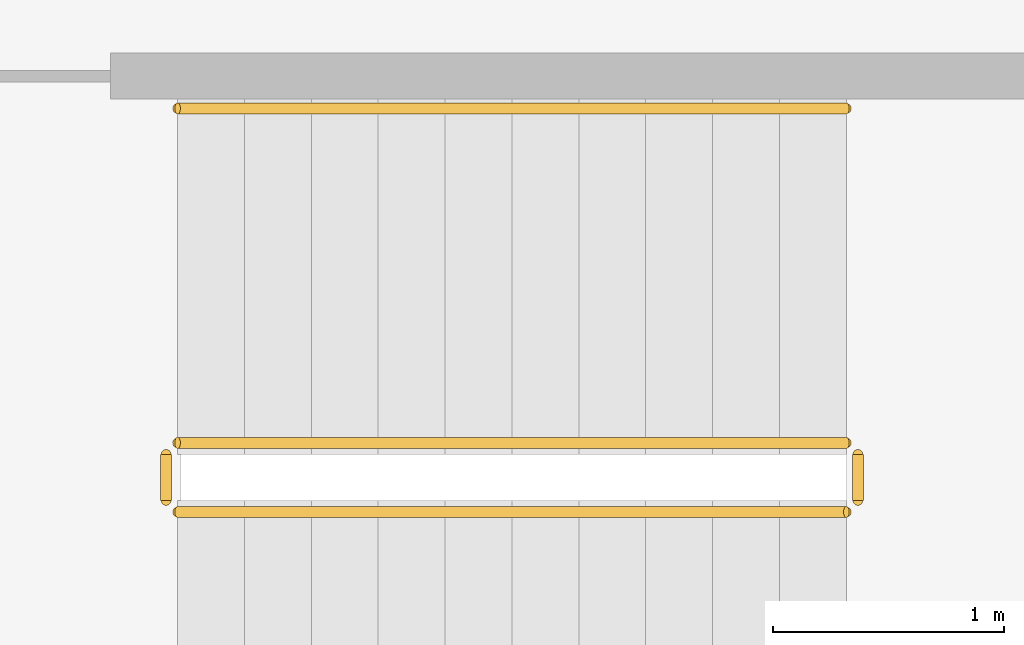
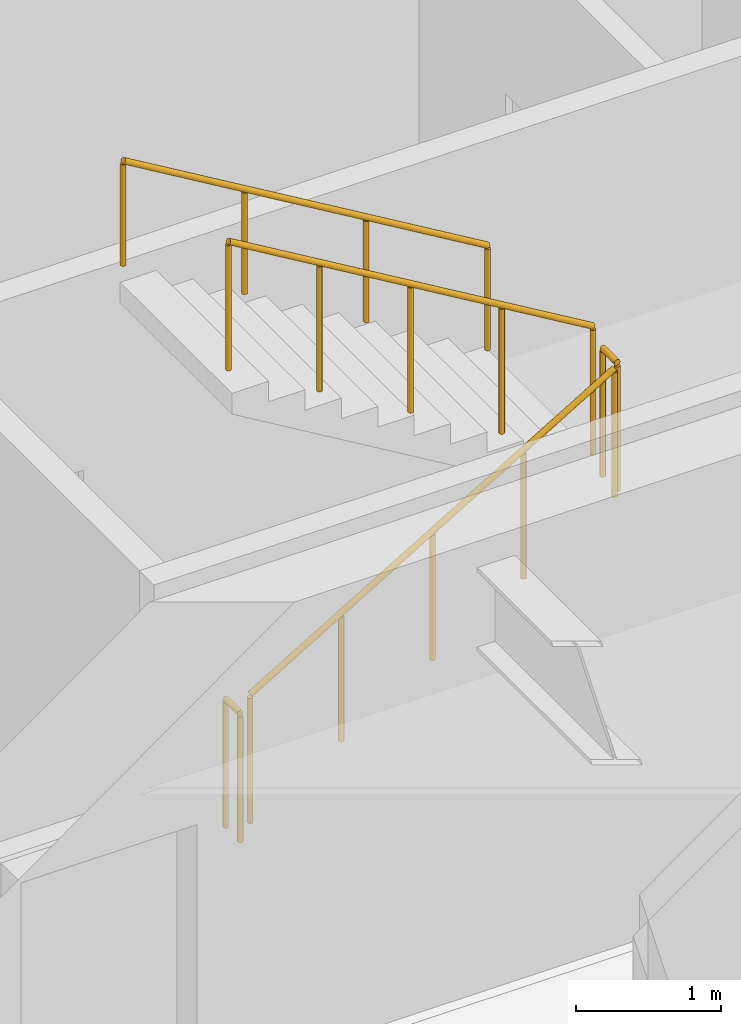
# One storey, part 22 of 23: 5 railings.
"""IFC4 building model written with IfcOpenShell, lengths in metres."""

from ifc_helpers import new_model, si_unit, direction, frame, origin, origin_2d, place, context, subcontext, project, spatial, circle, extrude, material, type_object, element, save


model = new_model("IFC4")

# Units and contexts
model_context = context("Model", 3, precision=1e-05, world=origin(), true_north=direction((0.0, 1.0)))
body_context = subcontext(model_context, "Body", "Model", "MODEL_VIEW")
ifc_project = project(units=[si_unit("LENGTHUNIT", "METRE"), si_unit("AREAUNIT", "SQUARE_METRE"), si_unit("VOLUMEUNIT", "CUBIC_METRE"), si_unit("PLANEANGLEUNIT", "RADIAN"), si_unit("MASSUNIT", "GRAM", prefix="KILO")], contexts=[model_context])

# Site, building, storey
site_placement = place(None, origin())
site = spatial("IfcSite", under=ifc_project, at=site_placement, CompositionType="ELEMENT")
building_placement = place(site_placement, origin())
building = spatial("IfcBuilding", under=site, at=building_placement, Name="Putna Gate Headquarters", CompositionType="ELEMENT")
storey_placement = place(building_placement, frame((0.0, 0.0, 202.39990234375)))
storey = spatial("IfcBuildingStorey", under=building, at=storey_placement, Name="L50", CompositionType="ELEMENT", Elevation=202.39990234375)

# Railings
ifc_material_1 = material(Name="Powder-coated steel stair guardrail", Category="steel")
railing_type_1 = type_object("IfcRailingType", Name="RAIL-STAIR-GUARD-1100", PredefinedType="GUARDRAIL", material=ifc_material_1)
railing_1_placement = place(storey_placement, frame((57.89990234375, 21.10009765625, 0.1728515625)))
element("IfcRailing", 1, at=railing_1_placement, inside=storey, type_object=railing_type_1, Name="L50 ST2 stair guard 1", PredefinedType="GUARDRAIL", context=body_context, shape_type="SweptSolid", body=[
    extrude(circle(Radius=0.02392578125, at=origin_2d()), frame((0.0, 0.0, 1.076171875), z_axis=(0.859160404282, 0.0, 0.51170636083), x_axis=(0.0, 1.0, 0.0)), (0.0, 0.0, 1.0), 3.37548828125),
    extrude(circle(Radius=0.02099609375, at=origin_2d()), origin(), (0.0, 0.0, 1.0), 1.052001953125),
    extrude(circle(Radius=0.02099609375, at=origin_2d()), frame((0.72509765625, 0.0, 0.431884765625)), (0.0, 0.0, 1.0), 1.052001953125),
    extrude(circle(Radius=0.02099609375, at=origin_2d()), frame((1.4501953125, 0.0, 0.86376953125)), (0.0, 0.0, 1.0), 1.052001953125),
    extrude(circle(Radius=0.02099609375, at=origin_2d()), frame((2.175048828125, 0.0, 1.29541015625)), (0.0, 0.0, 1.0), 1.052001953125),
    extrude(circle(Radius=0.02099609375, at=origin_2d()), frame((2.900146484375, 0.0, 1.727294921875)), (0.0, 0.0, 1.0), 1.052001953125),
])
railing_2_placement = place(storey_placement, frame((60.85009765625, 21.14990234375, 1.900146484375)))
element("IfcRailing", 2, at=railing_2_placement, inside=storey, type_object=railing_type_1, Name="L50 ST2 stair guard 2", PredefinedType="GUARDRAIL", context=body_context, shape_type="SweptSolid", body=[
    extrude(circle(Radius=0.02392578125, at=origin_2d()), frame((0.0, 0.0, 1.076171875), z_axis=(0.0, 1.0, 0.0), x_axis=(-1.0, 0.0, 0.0)), (0.0, 0.0, 1.0), 0.2001953125),
    extrude(circle(Radius=0.02099609375, at=origin_2d()), origin(), (0.0, 0.0, 1.0), 1.052001953125),
    extrude(circle(Radius=0.02099609375, at=origin_2d()), frame((0.0, 0.2001953125, 0.0)), (0.0, 0.0, 1.0), 1.052001953125),
])
railing_3_placement = place(storey_placement, frame((60.800048828125, 21.39990234375, 2.07275390625)))
element("IfcRailing", 3, at=railing_3_placement, inside=storey, type_object=railing_type_1, Name="L50 ST2 stair guard 3", PredefinedType="GUARDRAIL", context=body_context, shape_type="SweptSolid", body=[
    extrude(circle(Radius=0.02392578125, at=origin_2d()), frame((0.0, 0.0, 1.076171875), z_axis=(-0.859160404282, 0.0, 0.51170636083), x_axis=(0.0, -1.0, 0.0)), (0.0, 0.0, 1.0), 3.37548828125),
    extrude(circle(Radius=0.02099609375, at=origin_2d()), origin(), (0.0, 0.0, 1.0), 1.052001953125),
    extrude(circle(Radius=0.02099609375, at=origin_2d()), frame((-0.72509765625, 0.0, 0.431884765625)), (0.0, 0.0, 1.0), 1.052001953125),
    extrude(circle(Radius=0.02099609375, at=origin_2d()), frame((-1.4501953125, 0.0, 0.86376953125)), (0.0, 0.0, 1.0), 1.052001953125),
    extrude(circle(Radius=0.02099609375, at=origin_2d()), frame((-2.175048828125, 0.0, 1.29541015625)), (0.0, 0.0, 1.0), 1.052001953125),
    extrude(circle(Radius=0.02099609375, at=origin_2d()), frame((-2.900146484375, 0.0, 1.727294921875)), (0.0, 0.0, 1.0), 1.052001953125),
])
railing_4_placement = place(storey_placement, frame((57.85009765625, 21.14990234375, 0.0)))
element("IfcRailing", 4, at=railing_4_placement, inside=storey, type_object=railing_type_1, Name="L50 ST2 stair guard 4", PredefinedType="GUARDRAIL", context=body_context, shape_type="SweptSolid", body=[
    extrude(circle(Radius=0.02392578125, at=origin_2d()), frame((0.0, 0.0, 1.076171875), z_axis=(0.0, 1.0, 0.0), x_axis=(-1.0, 0.0, 0.0)), (0.0, 0.0, 1.0), 0.2001953125),
    extrude(circle(Radius=0.02099609375, at=origin_2d()), origin(), (0.0, 0.0, 1.0), 1.052001953125),
    extrude(circle(Radius=0.02099609375, at=origin_2d()), frame((0.0, 0.2001953125, 0.0)), (0.0, 0.0, 1.0), 1.052001953125),
])
ifc_material_2 = material(Name="Brushed stainless steel handrail", Category="steel")
railing_type_2 = type_object("IfcRailingType", Name="RAIL-STAIR-HAND-900", PredefinedType="HANDRAIL", material=ifc_material_2)
railing_5_placement = place(storey_placement, frame((60.800048828125, 22.85009765625, 2.07275390625)))
element("IfcRailing", 5, at=railing_5_placement, inside=storey, type_object=railing_type_2, Name="L50 ST2 stair handrail 2", PredefinedType="HANDRAIL", context=body_context, shape_type="SweptSolid", body=[
    extrude(circle(Radius=0.02392578125, at=origin_2d()), frame((0.0, 0.0, 0.8759765625), z_axis=(-0.859160404282, 0.0, 0.51170636083), x_axis=(0.0, -1.0, 0.0)), (0.0, 0.0, 1.0), 3.37548828125),
    extrude(circle(Radius=0.02099609375, at=origin_2d()), origin(), (0.0, 0.0, 1.0), 0.851806640625),
    extrude(circle(Radius=0.02099609375, at=origin_2d()), frame((-0.966796875, 0.0, 0.57568359375)), (0.0, 0.0, 1.0), 0.851806640625),
    extrude(circle(Radius=0.02099609375, at=origin_2d()), frame((-1.933349609375, 0.0, 1.151611328125)), (0.0, 0.0, 1.0), 0.851806640625),
    extrude(circle(Radius=0.02099609375, at=origin_2d()), frame((-2.900146484375, 0.0, 1.727294921875)), (0.0, 0.0, 1.0), 0.851806640625),
])

save(model, "model.ifc")
